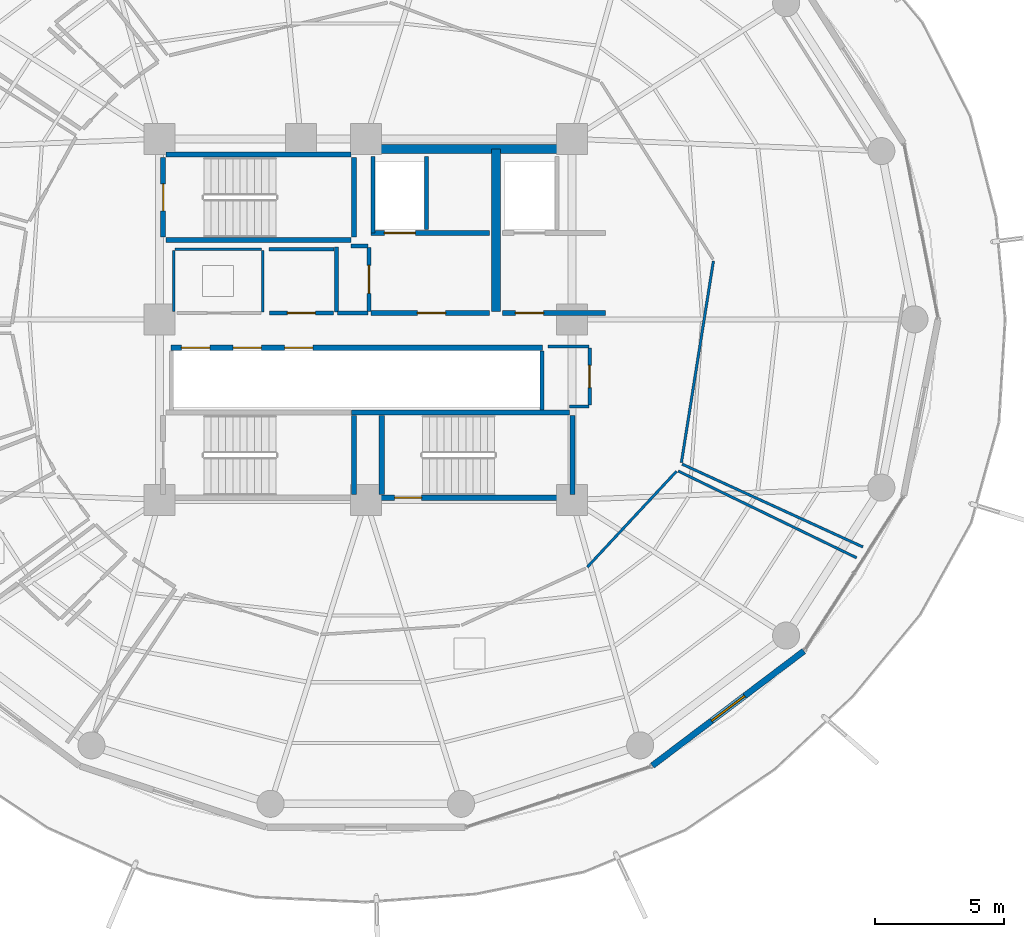
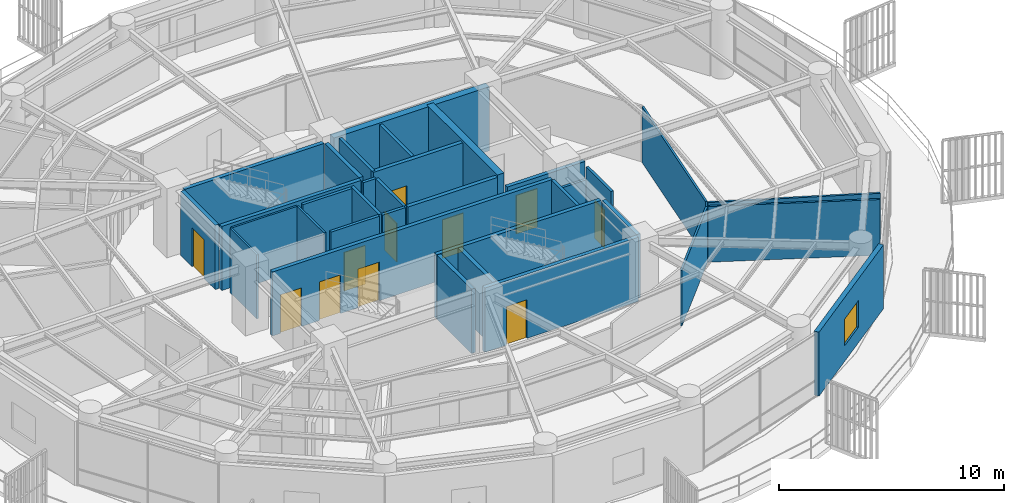
# One storey, part 24 of 30: 35 walls, 11 doors, 1 window, 12 openings.
"""IFC4 building model written with IfcOpenShell, lengths in metres."""

from ifc_helpers import new_model, si_unit, direction, frame, frame_2d, origin, place, context, subcontext, project, spatial, rectangle, extrude, material, layer, layer_set, type_object, element, fill, save


model = new_model("IFC4")

# Units and contexts
model_context = context("Model", 3, precision=1e-05, world=origin(), true_north=direction((0.0, 1.0)))
body_context = subcontext(model_context, "Body", "Model", "MODEL_VIEW")
ifc_project = project(units=[si_unit("LENGTHUNIT", "METRE"), si_unit("AREAUNIT", "SQUARE_METRE"), si_unit("VOLUMEUNIT", "CUBIC_METRE"), si_unit("PLANEANGLEUNIT", "RADIAN"), si_unit("MASSUNIT", "GRAM", prefix="KILO")], contexts=[model_context])

# Site, building, storey
site_placement = place(None, origin())
site = spatial("IfcSite", under=ifc_project, at=site_placement, CompositionType="ELEMENT")
building_placement = place(site_placement, origin())
building = spatial("IfcBuilding", under=site, at=building_placement, Name="Kelanora Arch Commons", CompositionType="ELEMENT")
storey_placement = place(building_placement, frame((0.0, 0.0, 215.699951171875)))
storey = spatial("IfcBuildingStorey", under=building, at=storey_placement, Name="L55", CompositionType="ELEMENT", Elevation=215.699951171875)

# Walls
ifc_material_1 = material(Name="Autoclaved aerated concrete blockwork with fire plaster", Category="masonry")
ifc_layer_1 = layer(ifc_material_1, 0.14990234375)
ifc_layer_set_1 = layer_set([ifc_layer_1], Name="Autoclaved aerated concrete blockwork with fire plaster")
wall_type_1 = type_object("IfcWallType", Name="W-COMP-150", PredefinedType="PARTITIONING", material=ifc_layer_set_1)
wall_1_placement = place(storey_placement, frame((74.280029296875, 61.35009765625, 0.0), z_axis=(0.0, 0.0, 1.0), x_axis=(0.0, 1.0, 0.0)))
element("IfcWall", 1, at=wall_1_placement, inside=storey, type_object=wall_type_1, Name="Firefighting Lift 1 West Shaft Wall L55", PredefinedType="PARTITIONING", context=body_context, shape_type="SweptSolid", body=[
    extrude(rectangle(XDim=2.969970703125, YDim=0.14990234375, at=frame_2d((1.48486328125, 0.0))), origin(), (0.0, 0.0, 1.0), 3.47998046875),
])
wall_2_placement = place(storey_placement, frame((76.360107421875, 61.47998046875, 0.0), z_axis=(0.0, 0.0, 1.0), x_axis=(0.0, 1.0, 0.0)))
element("IfcWall", 2, at=wall_2_placement, inside=storey, type_object=wall_type_1, Name="Firefighting Lift 1 East Shaft Wall L55", PredefinedType="PARTITIONING", context=body_context, shape_type="SweptSolid", body=[
    extrude(rectangle(XDim=2.840087890625, YDim=0.14990234375, at=frame_2d((1.419921875, 0.0))), origin(), (0.0, 0.0, 1.0), 3.47998046875),
])
wall_3_placement = place(storey_placement, frame((80.840087890625, 54.47998046875, 0.0), z_axis=(0.0, 0.0, 1.0), x_axis=(0.0, 1.0, 0.0)))
element("IfcWall", 3, at=wall_3_placement, inside=storey, type_object=wall_type_1, Name="South Lift Bank East Wall L55", PredefinedType="PARTITIONING", context=body_context, shape_type="SweptSolid", body=[
    extrude(rectangle(XDim=2.2900390625, YDim=0.14990234375, at=frame_2d((1.14501953125, 0.0))), origin(), (0.0, 0.0, 1.0), 3.47998046875),
])

# Wall, opening, door
wall_4_placement = place(storey_placement, frame((74.1201171875, 58.31005859375, 0.0), z_axis=(0.0, 0.0, 1.0), x_axis=(0.0, 1.0, 0.0)))
wall_4 = element("IfcWall", 4, at=wall_4_placement, inside=storey, type_object=wall_type_1, Name="Core Linen Supply Store L55 Entry Partition", PredefinedType="PARTITIONING", context=body_context, shape_type="SweptSolid", body=[
    extrude(rectangle(XDim=2.47998046875, YDim=0.14990234375, at=frame_2d((1.239990234375, 0.0))), origin(), (0.0, 0.0, 1.0), 3.47998046875),
])
opening_1_placement = place(wall_4_placement, frame((0.699951171875, 0.0, 0.0)))
opening_1 = element("IfcOpeningElement", 5, at=opening_1_placement, cuts=wall_4, Name="Opening D-PLT1", PredefinedType="OPENING", context=body_context, shape_type="SweptSolid", body=[
    extrude(rectangle(XDim=1.080078125, YDim=2.10009765625, at=frame_2d((0.5400390625, 1.050048828125))), frame((0.0, 0.0849609375, 0.0), z_axis=(0.0, -1.0, 0.0), x_axis=(1.0, 0.0, 0.0)), (0.0, 0.0, 1.0), 0.169921875),
])
ifc_material_2 = material(Name="Galvanised steel plant and riser fire door", Category="steel")
door_type_1 = type_object("IfcDoorType", Name="D-PLT-110", OperationType="NOTDEFINED", PredefinedType="DOOR", material=ifc_material_2)
door_1_placement = place(opening_1_placement, origin())
door_1 = element("IfcDoor", 6, at=door_1_placement, inside=storey, type_object=door_type_1, Name="Core Linen Supply Store L55 Door", OperationType="SINGLE_SWING_LEFT", OverallHeight=2.10009765625, OverallWidth=1.080078125, PredefinedType="DOOR", context=body_context, shape_type="SweptSolid", body=[
    extrude(rectangle(XDim=1.080078125, YDim=2.10009765625, at=frame_2d((0.5400390625, 1.050048828125))), frame((0.0, 0.02490234375, 0.0), z_axis=(0.0, -1.0, 0.0), x_axis=(1.0, 0.0, 0.0)), (0.0, 0.0, 1.0), 0.050048828125),
])
fill(opening_1, door_1)

wall_5_placement = place(storey_placement, frame((70.260009765625, 58.25, 0.0), z_axis=(0.0, 0.0, 1.0), x_axis=(1.0, 0.0, 0.0)))
wall_5 = element("IfcWall", 7, at=wall_5_placement, inside=storey, type_object=wall_type_1, Name="Reclaimed Core Linen Store L55 Entry Partition", PredefinedType="PARTITIONING", context=body_context, shape_type="SweptSolid", body=[
    extrude(rectangle(XDim=2.47998046875, YDim=0.14990234375, at=frame_2d((1.239990234375, 0.0))), origin(), (0.0, 0.0, 1.0), 3.47998046875),
])
opening_2_placement = place(wall_5_placement, frame((0.699951171875, 0.0, 0.0)))
opening_2 = element("IfcOpeningElement", 8, at=opening_2_placement, cuts=wall_5, Name="Opening D-PLT1", PredefinedType="OPENING", context=body_context, shape_type="SweptSolid", body=[
    extrude(rectangle(XDim=1.080078125, YDim=2.10009765625, at=frame_2d((0.5400390625, 1.050048828125))), frame((0.0, 0.0849609375, 0.0), z_axis=(0.0, -1.0, 0.0), x_axis=(1.0, 0.0, 0.0)), (0.0, 0.0, 1.0), 0.169921875),
])
door_2_placement = place(opening_2_placement, origin())
door_2 = element("IfcDoor", 9, at=door_2_placement, inside=storey, type_object=door_type_1, Name="Reclaimed Core Linen Store L55 Door", OperationType="SINGLE_SWING_RIGHT", OverallHeight=2.10009765625, OverallWidth=1.080078125, PredefinedType="DOOR", context=body_context, shape_type="SweptSolid", body=[
    extrude(rectangle(XDim=1.080078125, YDim=2.10009765625, at=frame_2d((0.5400390625, 1.050048828125))), frame((0.0, 0.02490234375, 0.0), z_axis=(0.0, -1.0, 0.0), x_axis=(1.0, 0.0, 0.0)), (0.0, 0.0, 1.0), 0.050048828125),
])
fill(opening_2, door_2)

# Walls
wall_6_placement = place(storey_placement, frame((72.89990234375, 58.25, 0.0), z_axis=(0.0, 0.0, 1.0), x_axis=(1.0, 0.0, 0.0)))
element("IfcWall", 10, at=wall_6_placement, inside=storey, type_object=wall_type_1, Name="Core Linen Supply Store L55 Enclosure Partition 1", PredefinedType="PARTITIONING", context=body_context, shape_type="SweptSolid", body=[
    extrude(rectangle(XDim=1.18017578125, YDim=0.14990234375, at=frame_2d((0.590087890625, 0.0))), origin(), (0.0, 0.0, 1.0), 3.47998046875),
])
wall_7_placement = place(storey_placement, frame((74.080078125, 60.85009765625, 0.0), z_axis=(0.0, 0.0, 1.0), x_axis=(-1.0, 0.0, 0.0)))
element("IfcWall", 11, at=wall_7_placement, inside=storey, type_object=wall_type_1, Name="Core Linen Supply Store L55 Enclosure Partition 3", PredefinedType="PARTITIONING", context=body_context, shape_type="SweptSolid", body=[
    extrude(rectangle(XDim=0.66015625, YDim=0.14990234375, at=frame_2d((0.330078125, 0.0))), origin(), (0.0, 0.0, 1.0), 3.47998046875),
])
for number, where, z_axis, x_axis, name in (
    (12, (72.860107421875, 60.81005859375, 0.0), (0.0, 0.0, 1.0), (0.0, -1.0, 0.0), "Core Linen Supply Store L55 Enclosure Partition 4"),
    (13, (72.760009765625, 60.719970703125, 0.0), (0.0, 0.0, 1.0), (-1.0, 0.0, 0.0), "Reclaimed Core Linen Store L55 Enclosure Partition 3"),
):
    element("IfcWall", number, at=place(storey_placement, frame(where, z_axis=z_axis, x_axis=x_axis)), inside=storey, type_object=wall_type_1, Name=name, PredefinedType="PARTITIONING", context=body_context, shape_type="SweptSolid", body=[
        extrude(rectangle(XDim=2.52001953125, YDim=0.14990234375, at=frame_2d((1.260009765625, 0.0))), origin(), (0.0, 0.0, 1.0), 3.47998046875),
    ])
ifc_material_3 = material(Name="Concrete C50/60", Category="concrete")
ifc_layer_2 = layer(ifc_material_3, 0.35009765625)
ifc_layer_set_2 = layer_set([ifc_layer_2], Name="Concrete C50/60")
wall_type_2 = type_object("IfcWallType", Name="W-CORE-350", PredefinedType="SHEAR", material=ifc_layer_set_2)
wall_8_placement = place(storey_placement, frame((74.0, 64.60009765625, 0.0), z_axis=(0.0, 0.0, 1.0), x_axis=(1.0, 0.0, 0.0)))
element("IfcWall", 14, at=wall_8_placement, inside=storey, type_object=wall_type_2, Name="Core Shear Spine L55-CN-E", PredefinedType="SHEAR", context=body_context, shape_type="SweptSolid", body=[
    extrude(rectangle(XDim=8.0, YDim=0.35009765625, at=frame_2d((4.0, 0.0))), origin(), (0.0, 0.0, 1.0), 3.489990234375),
])
wall_9_placement = place(storey_placement, frame((79.050048828125, 58.300048828125, 0.0), z_axis=(0.0, 0.0, 1.0), x_axis=(0.0, 1.0, 0.0)))
element("IfcWall", 15, at=wall_9_placement, inside=storey, type_object=wall_type_2, Name="Core Shear Spine L55-CE-N", PredefinedType="SHEAR", context=body_context, shape_type="SweptSolid", body=[
    extrude(rectangle(XDim=6.300048828125, YDim=0.35009765625, at=frame_2d((3.14990234375, 0.0))), origin(), (0.0, 0.0, 1.0), 3.489990234375),
])

# Wall, opening, window
ifc_material_4 = material(Name="Precast concrete C40/50 upper-zone terracotta rainscreen", Category="masonry")
ifc_layer_3 = layer(ifc_material_4, 0.239990234375)
ifc_layer_set_3 = layer_set([ifc_layer_3], Name="Precast concrete C40/50 upper-zone terracotta rainscreen")
wall_type_3 = type_object("IfcWallType", Name="W-EXT-TC2", PredefinedType="SOLIDWALL", material=ifc_layer_set_3)
wall_10_placement = place(storey_placement, frame((85.112060546875, 40.6884765625, 0.0), z_axis=(0.0, 0.0, 1.0), x_axis=(0.797701674595, 0.603052268338, 0.0)))
wall_10 = element("IfcWall", 16, at=wall_10_placement, inside=storey, type_object=wall_type_3, Name="Terracotta Exterior Wall L55-B15", PredefinedType="SOLIDWALL", context=body_context, shape_type="SweptSolid", body=[
    extrude(rectangle(XDim=7.373779296875, YDim=0.239990234375, at=frame_2d((3.68701171875, 0.0))), origin(), (0.0, 0.0, 1.0), 3.47509765625),
])
opening_3_placement = place(wall_10_placement, frame((2.886962890625, 0.0, 0.85009765625)))
opening_3 = element("IfcOpeningElement", 17, at=opening_3_placement, cuts=wall_10, Name="Opening WN-01", PredefinedType="OPENING", context=body_context, shape_type="SweptSolid", body=[
    extrude(rectangle(XDim=1.60009765625, YDim=1.449951171875, at=frame_2d((0.800048828125, 0.72509765625))), frame((0.0, 0.1298828125, 0.0), z_axis=(0.0, -1.0, 0.0), x_axis=(1.0, 0.0, 0.0)), (0.0, 0.0, 1.0), 0.260009765625),
])
ifc_material_5 = material(Name="Terracotta-anodised aluminium frame with operable low-E glazing", Category="masonry")
window_type = type_object("IfcWindowType", Name="WIN-CL-18", PartitioningType="DOUBLE_PANEL_VERTICAL", PredefinedType="WINDOW", material=ifc_material_5)
window_placement = place(opening_3_placement, origin())
window = element("IfcWindow", 18, at=window_placement, inside=storey, type_object=window_type, Name="Co-Living Operable Window L55-B15", OverallHeight=1.449951171875, OverallWidth=1.60009765625, PartitioningType="SINGLE_PANEL", PredefinedType="WINDOW", context=body_context, shape_type="SweptSolid", body=[
    extrude(rectangle(XDim=1.60009765625, YDim=1.449951171875, at=frame_2d((0.800048828125, 0.72509765625))), frame((0.0, 0.030029296875, 0.0), z_axis=(0.0, -1.0, 0.0), x_axis=(1.0, 0.0, 0.0)), (0.0, 0.0, 1.0), 0.06005859375),
])
fill(opening_3, window)

# Wall, opening, door
ifc_material_6 = material(Name="Concrete C40/50", Category="concrete")
ifc_layer_4 = layer(ifc_material_6, 0.199951171875)
ifc_layer_set_4 = layer_set([ifc_layer_4], Name="Concrete C40/50")
wall_type_4 = type_object("IfcWallType", Name="W-FFL-200", PredefinedType="SOLIDWALL", material=ifc_layer_set_4)
wall_11_placement = place(storey_placement, frame((74.199951171875, 61.35009765625, 0.0), z_axis=(0.0, 0.0, 1.0), x_axis=(1.0, 0.0, 0.0)))
wall_11 = element("IfcWall", 19, at=wall_11_placement, inside=storey, type_object=wall_type_4, Name="Firefighting Lift 1 Shaft Front L55", PredefinedType="SOLIDWALL", context=body_context, shape_type="SweptSolid", body=[
    extrude(rectangle(XDim=4.60009765625, YDim=0.199951171875, at=frame_2d((2.300048828125, 0.0))), origin(), (0.0, 0.0, 1.0), 3.47998046875),
])
opening_4_placement = place(wall_11_placement, frame((0.52001953125, 0.0, 0.0)))
opening_4 = element("IfcOpeningElement", 20, at=opening_4_placement, cuts=wall_11, Name="Opening LD-FF", PredefinedType="OPENING", context=body_context, shape_type="SweptSolid", body=[
    extrude(rectangle(XDim=1.199951171875, YDim=2.14990234375, at=frame_2d((0.60009765625, 1.074951171875))), frame((0.0, 0.10986328125, 0.0), z_axis=(0.0, -1.0, 0.0), x_axis=(1.0, 0.0, 0.0)), (0.0, 0.0, 1.0), 0.219970703125),
])
ifc_material_7 = material(Name="Fire-rated firefighters lift sliding landing door")
door_type_2 = type_object("IfcDoorType", Name="D-LIFT-FF", OperationType="NOTDEFINED", PredefinedType="DOOR", material=ifc_material_7)
door_3_placement = place(opening_4_placement, origin())
door_3 = element("IfcDoor", 21, at=door_3_placement, inside=storey, type_object=door_type_2, Name="Firefighting Lift LF-FF1 Landing Door L55", OperationType="DOUBLE_DOOR_SLIDING", OverallHeight=2.14990234375, OverallWidth=1.199951171875, PredefinedType="DOOR", context=body_context, shape_type="SweptSolid", body=[
    extrude(rectangle(XDim=1.199951171875, YDim=2.14990234375, at=frame_2d((0.60009765625, 1.074951171875))), frame((0.0, 0.02490234375, 0.0), z_axis=(0.0, -1.0, 0.0), x_axis=(1.0, 0.0, 0.0)), (0.0, 0.0, 1.0), 0.050048828125),
])
fill(opening_4, door_3)

wall_12_placement = place(storey_placement, frame((74.199951171875, 58.25, 0.0), z_axis=(0.0, 0.0, 1.0), x_axis=(1.0, 0.0, 0.0)))
wall_12 = element("IfcWall", 22, at=wall_12_placement, inside=storey, type_object=wall_type_4, Name="Firefighting Lobby 1 Enclosure Wall L55", PredefinedType="SOLIDWALL", context=body_context, shape_type="SweptSolid", body=[
    extrude(rectangle(XDim=4.60009765625, YDim=0.199951171875, at=frame_2d((2.300048828125, 0.0))), origin(), (0.0, 0.0, 1.0), 3.47998046875),
])
opening_5_placement = place(wall_12_placement, frame((1.800048828125, 0.0, 0.0)))
opening_5 = element("IfcOpeningElement", 23, at=opening_5_placement, cuts=wall_12, Name="Opening D-FFL1", PredefinedType="OPENING", context=body_context, shape_type="SweptSolid", body=[
    extrude(rectangle(XDim=1.10009765625, YDim=2.10009765625, at=frame_2d((0.550048828125, 1.050048828125))), frame((0.0, 0.10986328125, 0.0), z_axis=(0.0, -1.0, 0.0), x_axis=(1.0, 0.0, 0.0)), (0.0, 0.0, 1.0), 0.219970703125),
])
ifc_material_8 = material(Name="Smoke-sealed firefighting lobby fire door")
door_type_3 = type_object("IfcDoorType", Name="D-FFL-110", OperationType="NOTDEFINED", PredefinedType="DOOR", material=ifc_material_8)
door_4_placement = place(opening_5_placement, frame((1.10009765625, 0.0, 0.0), z_axis=(0.0, 0.0, 1.0), x_axis=(-1.0, 0.0, 0.0)))
door_4 = element("IfcDoor", 24, at=door_4_placement, inside=storey, type_object=door_type_3, Name="Firefighting Lobby 1 Door L55", OperationType="SINGLE_SWING_LEFT", OverallHeight=2.10009765625, OverallWidth=1.10009765625, PredefinedType="DOOR", context=body_context, shape_type="SweptSolid", body=[
    extrude(rectangle(XDim=1.10009765625, YDim=2.10009765625, at=frame_2d((0.550048828125, 1.050048828125))), frame((0.0, 0.02490234375, 0.0), z_axis=(0.0, -1.0, 0.0), x_axis=(1.0, 0.0, 0.0)), (0.0, 0.0, 1.0), 0.050048828125),
])
fill(opening_5, door_4)

wall_13_placement = place(storey_placement, frame((79.300048828125, 58.25, 0.0), z_axis=(0.0, 0.0, 1.0), x_axis=(1.0, 0.0, 0.0)))
wall_13 = element("IfcWall", 25, at=wall_13_placement, inside=storey, type_object=wall_type_4, Name="Firefighting Lobby 2 Enclosure Wall L55", PredefinedType="SOLIDWALL", context=body_context, shape_type="SweptSolid", body=[
    extrude(rectangle(XDim=4.0, YDim=0.199951171875, at=frame_2d((2.0, 0.0))), origin(), (0.0, 0.0, 1.0), 2.775146484375),
])
opening_6_placement = place(wall_13_placement, frame((0.5, 0.0, 0.0)))
opening_6 = element("IfcOpeningElement", 26, at=opening_6_placement, cuts=wall_13, Name="Opening D-FFL1", PredefinedType="OPENING", context=body_context, shape_type="SweptSolid", body=[
    extrude(rectangle(XDim=1.10009765625, YDim=2.10009765625, at=frame_2d((0.550048828125, 1.050048828125))), frame((0.0, 0.10986328125, 0.0), z_axis=(0.0, -1.0, 0.0), x_axis=(1.0, 0.0, 0.0)), (0.0, 0.0, 1.0), 0.219970703125),
])
door_5_placement = place(opening_6_placement, frame((1.10009765625, 0.0, 0.0), z_axis=(0.0, 0.0, 1.0), x_axis=(-1.0, 0.0, 0.0)))
door_5 = element("IfcDoor", 27, at=door_5_placement, inside=storey, type_object=door_type_3, Name="Firefighting Lobby 2 Door L55", OperationType="SINGLE_SWING_RIGHT", OverallHeight=2.10009765625, OverallWidth=1.10009765625, PredefinedType="DOOR", context=body_context, shape_type="SweptSolid", body=[
    extrude(rectangle(XDim=1.10009765625, YDim=2.10009765625, at=frame_2d((0.550048828125, 1.050048828125))), frame((0.0, 0.02490234375, 0.0), z_axis=(0.0, -1.0, 0.0), x_axis=(1.0, 0.0, 0.0)), (0.0, 0.0, 1.0), 0.050048828125),
])
fill(opening_6, door_5)

# Wall, openings, doors
wall_14_placement = place(storey_placement, frame((66.449951171875, 56.89990234375, 0.0), z_axis=(0.0, 0.0, 1.0), x_axis=(1.0, 0.0, 0.0)))
wall_14 = element("IfcWall", 28, at=wall_14_placement, inside=storey, type_object=wall_type_4, Name="Mid/High/Express Lift Shaft Front L55", PredefinedType="SOLIDWALL", context=body_context, shape_type="SweptSolid", body=[
    extrude(rectangle(XDim=14.400146484375, YDim=0.199951171875, at=frame_2d((7.2001953125, 0.0))), origin(), (0.0, 0.0, 1.0), 3.47998046875),
])
opening_7_placement = place(wall_14_placement, frame((0.39990234375, 0.0, 0.0)))
opening_7 = element("IfcOpeningElement", 29, at=opening_7_placement, cuts=wall_14, Name="Opening LD-01", PredefinedType="OPENING", context=body_context, shape_type="SweptSolid", body=[
    extrude(rectangle(XDim=1.10009765625, YDim=2.10009765625, at=frame_2d((0.550048828125, 1.050048828125))), frame((0.0, 0.10986328125, 0.0), z_axis=(0.0, -1.0, 0.0), x_axis=(1.0, 0.0, 0.0)), (0.0, 0.0, 1.0), 0.219970703125),
])
opening_8_placement = place(wall_14_placement, frame((2.39990234375, 0.0, 0.0)))
opening_8 = element("IfcOpeningElement", 30, at=opening_8_placement, cuts=wall_14, Name="Opening LD-01", PredefinedType="OPENING", context=body_context, shape_type="SweptSolid", body=[
    extrude(rectangle(XDim=1.10009765625, YDim=2.10009765625, at=frame_2d((0.550048828125, 1.050048828125))), frame((0.0, 0.10986328125, 0.0), z_axis=(0.0, -1.0, 0.0), x_axis=(1.0, 0.0, 0.0)), (0.0, 0.0, 1.0), 0.219970703125),
])
opening_9_placement = place(wall_14_placement, frame((4.39990234375, 0.0, 0.0)))
opening_9 = element("IfcOpeningElement", 31, at=opening_9_placement, cuts=wall_14, Name="Opening LD-01", PredefinedType="OPENING", context=body_context, shape_type="SweptSolid", body=[
    extrude(rectangle(XDim=1.10009765625, YDim=2.10009765625, at=frame_2d((0.550048828125, 1.050048828125))), frame((0.0, 0.10986328125, 0.0), z_axis=(0.0, -1.0, 0.0), x_axis=(1.0, 0.0, 0.0)), (0.0, 0.0, 1.0), 0.219970703125),
])
ifc_material_9 = material(Name="Stainless steel passenger lift sliding landing door", Category="steel")
door_type_4 = type_object("IfcDoorType", Name="D-LIFT-110", OperationType="NOTDEFINED", PredefinedType="DOOR", material=ifc_material_9)
door_6_placement = place(opening_7_placement, origin())
door_6 = element("IfcDoor", 32, at=door_6_placement, inside=storey, type_object=door_type_4, Name="Passenger Lift LF-P4 Landing Door L55", OperationType="DOUBLE_DOOR_SLIDING", OverallHeight=2.10009765625, OverallWidth=1.10009765625, PredefinedType="DOOR", context=body_context, shape_type="SweptSolid", body=[
    extrude(rectangle(XDim=1.10009765625, YDim=2.10009765625, at=frame_2d((0.550048828125, 1.050048828125))), frame((0.0, 0.02490234375, 0.0), z_axis=(0.0, -1.0, 0.0), x_axis=(1.0, 0.0, 0.0)), (0.0, 0.0, 1.0), 0.050048828125),
])
fill(opening_7, door_6)
door_7_placement = place(opening_8_placement, origin())
door_7 = element("IfcDoor", 33, at=door_7_placement, inside=storey, type_object=door_type_4, Name="Passenger Lift LF-P5 Landing Door L55", OperationType="DOUBLE_DOOR_SLIDING", OverallHeight=2.10009765625, OverallWidth=1.10009765625, PredefinedType="DOOR", context=body_context, shape_type="SweptSolid", body=[
    extrude(rectangle(XDim=1.10009765625, YDim=2.10009765625, at=frame_2d((0.550048828125, 1.050048828125))), frame((0.0, 0.02490234375, 0.0), z_axis=(0.0, -1.0, 0.0), x_axis=(1.0, 0.0, 0.0)), (0.0, 0.0, 1.0), 0.050048828125),
])
fill(opening_8, door_7)
door_8_placement = place(opening_9_placement, origin())
door_8 = element("IfcDoor", 34, at=door_8_placement, inside=storey, type_object=door_type_4, Name="Passenger Lift LF-P6 Landing Door L55", OperationType="DOUBLE_DOOR_SLIDING", OverallHeight=2.10009765625, OverallWidth=1.10009765625, PredefinedType="DOOR", context=body_context, shape_type="SweptSolid", body=[
    extrude(rectangle(XDim=1.10009765625, YDim=2.10009765625, at=frame_2d((0.550048828125, 1.050048828125))), frame((0.0, 0.02490234375, 0.0), z_axis=(0.0, -1.0, 0.0), x_axis=(1.0, 0.0, 0.0)), (0.0, 0.0, 1.0), 0.050048828125),
])
fill(opening_9, door_8)

# Walls
ifc_material_10 = material(Name="Lightweight fire-rated acoustic stud partition")
ifc_layer_5 = layer(ifc_material_10, 0.10009765625)
ifc_layer_set_5 = layer_set([ifc_layer_5], Name="Lightweight fire-rated acoustic stud partition")
wall_type_5 = type_object("IfcWallType", Name="W-PART-100", PredefinedType="PARTITIONING", material=ifc_layer_set_5)
wall_15_placement = place(storey_placement, frame((70.0, 58.2900390625, 0.0), z_axis=(0.0, 0.0, 1.0), x_axis=(0.0, 1.0, 0.0)))
element("IfcWall", 35, at=wall_15_placement, inside=storey, type_object=wall_type_5, Name="Reclaimed Core Quiet Phone Booths L55 Enclosure Partition 2", PredefinedType="PARTITIONING", context=body_context, shape_type="SweptSolid", body=[
    extrude(rectangle(XDim=2.389892578125, YDim=0.10009765625, at=frame_2d((1.19482421875, 0.0))), origin(), (0.0, 0.0, 1.0), 3.47998046875),
])
wall_16_placement = place(storey_placement, frame((69.9599609375, 60.719970703125, 0.0), z_axis=(0.0, 0.0, 1.0), x_axis=(-1.0, 0.0, 0.0)))
element("IfcWall", 36, at=wall_16_placement, inside=storey, type_object=wall_type_5, Name="Reclaimed Core Quiet Phone Booths L55 Enclosure Partition 3", PredefinedType="PARTITIONING", context=body_context, shape_type="SweptSolid", body=[
    extrude(rectangle(XDim=3.369873046875, YDim=0.10009765625, at=frame_2d((1.68505859375, 0.0))), origin(), (0.0, 0.0, 1.0), 3.47998046875),
])
wall_17_placement = place(storey_placement, frame((66.550048828125, 60.679931640625, 0.0), z_axis=(0.0, 0.0, 1.0), x_axis=(0.0, -1.0, 0.0)))
element("IfcWall", 37, at=wall_17_placement, inside=storey, type_object=wall_type_5, Name="Reclaimed Core Quiet Phone Booths L55 Enclosure Partition 4", PredefinedType="PARTITIONING", context=body_context, shape_type="SweptSolid", body=[
    extrude(rectangle(XDim=2.383056640625, YDim=0.10009765625, at=frame_2d((1.19140625, 0.0))), origin(), (0.0, 0.0, 1.0), 3.47998046875),
])
wall_18_placement = place(storey_placement, frame((82.58837890625, 48.389404296875, 0.0), z_axis=(0.0, 0.0, 1.0), x_axis=(0.68157475052, 0.731748494671, 0.0)))
element("IfcWall", 38, at=wall_18_placement, inside=storey, type_object=wall_type_5, Name="South-East Shared Study Commons L55 Enclosure Partition 4", PredefinedType="PARTITIONING", context=body_context, shape_type="SweptSolid", body=[
    extrude(rectangle(XDim=5.080078125, YDim=0.10009765625, at=frame_2d((2.5400390625, 0.0))), origin(), (0.0, 0.0, 1.0), 3.025146484375),
])
wall_19_placement = place(storey_placement, frame((86.114013671875, 52.118408203125, 0.0), z_axis=(0.0, 0.0, 1.0), x_axis=(0.899283988658, -0.437365188078, 0.0)))
element("IfcWall", 39, at=wall_19_placement, inside=storey, type_object=wall_type_5, Name="South-East Shared Study Commons L55 Enclosure Partition 5", PredefinedType="PARTITIONING", context=body_context, shape_type="SweptSolid", body=[
    extrude(rectangle(XDim=7.696044921875, YDim=0.10009765625, at=frame_2d((3.84814453125, 0.0))), origin(), (0.0, 0.0, 1.0), 3.025146484375),
])
wall_20_placement = place(storey_placement, frame((86.240234375, 52.44140625, 0.0), z_axis=(0.0, 0.0, 1.0), x_axis=(0.156928440611, 0.987609975915, 0.0)))
element("IfcWall", 40, at=wall_20_placement, inside=storey, type_object=wall_type_5, Name="North-East Shared Cluster Kitchen L55 Enclosure Partition 1", PredefinedType="PARTITIONING", context=body_context, shape_type="SweptSolid", body=[
    extrude(rectangle(XDim=7.917236328125, YDim=0.10009765625, at=frame_2d((3.95849609375, 0.0))), origin(), (0.0, 0.0, 1.0), 3.025146484375),
])
wall_21_placement = place(storey_placement, frame((93.280517578125, 49.172607421875, 0.0), z_axis=(0.0, 0.0, 1.0), x_axis=(-0.909078313488, 0.416625275213, 0.0)))
element("IfcWall", 41, at=wall_21_placement, inside=storey, type_object=wall_type_5, Name="North-East Shared Cluster Kitchen L55 Enclosure Partition 10", PredefinedType="PARTITIONING", context=body_context, shape_type="SweptSolid", body=[
    extrude(rectangle(XDim=7.711181640625, YDim=0.10009765625, at=frame_2d((3.85546875, 0.0))), origin(), (0.0, 0.0, 1.0), 3.025146484375),
])
ifc_layer_6 = layer(ifc_material_6, 0.199951171875)
ifc_layer_set_6 = layer_set([ifc_layer_6], Name="Concrete C40/50")
wall_type_6 = type_object("IfcWallType", Name="W-STAIR-200", PredefinedType="SHEAR", material=ifc_layer_set_6)
wall_22_placement = place(storey_placement, frame((66.260009765625, 61.080078125, 0.0), z_axis=(0.0, 0.0, 1.0), x_axis=(1.0, 0.0, 0.0)))
element("IfcWall", 42, at=wall_22_placement, inside=storey, type_object=wall_type_6, Name="Stair ST-T1 Shaft Wall S L55", PredefinedType="SHEAR", context=body_context, shape_type="SweptSolid", body=[
    extrude(rectangle(XDim=7.159912109375, YDim=0.199951171875, at=frame_2d((3.580078125, 0.0))), origin(), (0.0, 0.0, 1.0), 3.489990234375),
])
wall_23_placement = place(storey_placement, frame((73.5400390625, 61.199951171875, 0.0), z_axis=(0.0, 0.0, 1.0), x_axis=(0.0, 1.0, 0.0)))
element("IfcWall", 43, at=wall_23_placement, inside=storey, type_object=wall_type_6, Name="Stair ST-T1 Shaft Wall E L55", PredefinedType="SHEAR", context=body_context, shape_type="SweptSolid", body=[
    extrude(rectangle(XDim=3.070068359375, YDim=0.199951171875, at=frame_2d((1.53515625, 0.0))), origin(), (0.0, 0.0, 1.0), 3.489990234375),
])
wall_24_placement = place(storey_placement, frame((73.419921875, 64.389892578125, 0.0), z_axis=(0.0, 0.0, 1.0), x_axis=(-1.0, 0.0, 0.0)))
element("IfcWall", 44, at=wall_24_placement, inside=storey, type_object=wall_type_6, Name="Stair ST-T1 Shaft Wall N L55", PredefinedType="SHEAR", context=body_context, shape_type="SweptSolid", body=[
    extrude(rectangle(XDim=7.159912109375, YDim=0.199951171875, at=frame_2d((3.580078125, 0.0))), origin(), (0.0, 0.0, 1.0), 3.489990234375),
])

# Wall, opening, door
wall_25_placement = place(storey_placement, frame((66.139892578125, 64.27001953125, 0.0), z_axis=(0.0, 0.0, 1.0), x_axis=(0.0, -1.0, 0.0)))
wall_25 = element("IfcWall", 45, at=wall_25_placement, inside=storey, type_object=wall_type_6, Name="Stair ST-T1 Shaft Wall W L55", PredefinedType="SHEAR", context=body_context, shape_type="SweptSolid", body=[
    extrude(rectangle(XDim=3.070068359375, YDim=0.199951171875, at=frame_2d((1.53515625, 0.0))), origin(), (0.0, 0.0, 1.0), 3.489990234375),
])
opening_10_placement = place(wall_25_placement, frame((1.010009765625, 0.0, 0.0)))
opening_10 = element("IfcOpeningElement", 46, at=opening_10_placement, cuts=wall_25, Name="Opening D-ST1", PredefinedType="OPENING", context=body_context, shape_type="SweptSolid", body=[
    extrude(rectangle(XDim=1.050048828125, YDim=2.10009765625, at=frame_2d((0.52490234375, 1.050048828125))), frame((0.0, 0.10986328125, 0.0), z_axis=(0.0, -1.0, 0.0), x_axis=(1.0, 0.0, 0.0)), (0.0, 0.0, 1.0), 0.219970703125),
])
ifc_material_11 = material(Name="Steel fire-rated stairwell escape door", Category="steel")
door_type_5 = type_object("IfcDoorType", Name="D-STAIR-110", OperationType="NOTDEFINED", PredefinedType="DOOR", material=ifc_material_11)
door_9_placement = place(opening_10_placement, origin())
door_9 = element("IfcDoor", 47, at=door_9_placement, inside=storey, type_object=door_type_5, Name="Stair ST-T1 Escape Door L55", OperationType="SINGLE_SWING_LEFT", OverallHeight=2.10009765625, OverallWidth=1.050048828125, PredefinedType="DOOR", context=body_context, shape_type="SweptSolid", body=[
    extrude(rectangle(XDim=1.050048828125, YDim=2.10009765625, at=frame_2d((0.52490234375, 1.050048828125))), frame((0.0, 0.02490234375, 0.0), z_axis=(0.0, -1.0, 0.0), x_axis=(1.0, 0.0, 0.0)), (0.0, 0.0, 1.0), 0.050048828125),
])
fill(opening_10, door_9)

wall_26_placement = place(storey_placement, frame((74.0, 51.080078125, 0.0), z_axis=(0.0, 0.0, 1.0), x_axis=(1.0, 0.0, 0.0)))
wall_26 = element("IfcWall", 48, at=wall_26_placement, inside=storey, type_object=wall_type_6, Name="Stair ST-T2 Shaft Wall S L55", PredefinedType="SHEAR", context=body_context, shape_type="SweptSolid", body=[
    extrude(rectangle(XDim=7.89990234375, YDim=0.199951171875, at=frame_2d((3.949951171875, 0.0))), origin(), (0.0, 0.0, 1.0), 3.489990234375),
])
opening_11_placement = place(wall_26_placement, frame((1.1201171875, 0.0, 0.0)))
opening_11 = element("IfcOpeningElement", 49, at=opening_11_placement, cuts=wall_26, Name="Opening D-ST1", PredefinedType="OPENING", context=body_context, shape_type="SweptSolid", body=[
    extrude(rectangle(XDim=1.050048828125, YDim=2.10009765625, at=frame_2d((0.52490234375, 1.050048828125))), frame((0.0, 0.10986328125, 0.0), z_axis=(0.0, -1.0, 0.0), x_axis=(1.0, 0.0, 0.0)), (0.0, 0.0, 1.0), 0.219970703125),
])
door_10_placement = place(opening_11_placement, origin())
door_10 = element("IfcDoor", 50, at=door_10_placement, inside=storey, type_object=door_type_5, Name="Stair ST-T2 Escape Door L55", OperationType="SINGLE_SWING_LEFT", OverallHeight=2.10009765625, OverallWidth=1.050048828125, PredefinedType="DOOR", context=body_context, shape_type="SweptSolid", body=[
    extrude(rectangle(XDim=1.050048828125, YDim=2.10009765625, at=frame_2d((0.52490234375, 1.050048828125))), frame((0.0, 0.02490234375, 0.0), z_axis=(0.0, -1.0, 0.0), x_axis=(1.0, 0.0, 0.0)), (0.0, 0.0, 1.0), 0.050048828125),
])
fill(opening_11, door_10)

# Walls
wall_27_placement = place(storey_placement, frame((82.02001953125, 51.199951171875, 0.0), z_axis=(0.0, 0.0, 1.0), x_axis=(0.0, 1.0, 0.0)))
element("IfcWall", 51, at=wall_27_placement, inside=storey, type_object=wall_type_6, Name="Stair ST-T2 Shaft Wall E L55", PredefinedType="SHEAR", context=body_context, shape_type="SweptSolid", body=[
    extrude(rectangle(XDim=3.070068359375, YDim=0.199951171875, at=frame_2d((1.53515625, 0.0))), origin(), (0.0, 0.0, 1.0), 3.489990234375),
])
wall_28_placement = place(storey_placement, frame((81.89990234375, 54.389892578125, 0.0), z_axis=(0.0, 0.0, 1.0), x_axis=(-1.0, 0.0, 0.0)))
element("IfcWall", 52, at=wall_28_placement, inside=storey, type_object=wall_type_6, Name="Stair ST-T2 Shaft Wall N L55", PredefinedType="SHEAR", context=body_context, shape_type="SweptSolid", body=[
    extrude(rectangle(XDim=8.4599609375, YDim=0.199951171875, at=frame_2d((4.22998046875, 0.0))), origin(), (0.0, 0.0, 1.0), 3.489990234375),
])
for number, where, z_axis, x_axis, name in (
    (53, (74.6201171875, 54.27001953125, 0.0), (0.0, 0.0, 1.0), (0.0, -1.0, 0.0), "Stair ST-T2 Shaft Wall W L55"),
    (54, (73.5400390625, 51.199951171875, 0.0), (0.0, 0.0, 1.0), (0.0, 1.0, 0.0), "Stair ST-T3 Shaft Wall E L55"),
):
    element("IfcWall", number, at=place(storey_placement, frame(where, z_axis=z_axis, x_axis=x_axis)), inside=storey, type_object=wall_type_6, Name=name, PredefinedType="SHEAR", context=body_context, shape_type="SweptSolid", body=[
        extrude(rectangle(XDim=3.070068359375, YDim=0.199951171875, at=frame_2d((1.53515625, 0.0))), origin(), (0.0, 0.0, 1.0), 3.489990234375),
    ])

# Wall, opening, door
ifc_material_12 = material(Name="Moisture-resistant fire-rated cement-board plumbing wall")
ifc_layer_7 = layer(ifc_material_12, 0.1298828125)
ifc_layer_set_7 = layer_set([ifc_layer_7], Name="Moisture-resistant fire-rated cement-board plumbing wall")
wall_type_7 = type_object("IfcWallType", Name="W-WET-120", PredefinedType="PLUMBINGWALL", material=ifc_layer_set_7)
wall_29_placement = place(storey_placement, frame((82.679931640625, 54.679931640625, 0.0), z_axis=(0.0, 0.0, 1.0), x_axis=(0.0, 1.0, 0.0)))
wall_29 = element("IfcWall", 55, at=wall_29_placement, inside=storey, type_object=wall_type_7, Name="Core Accessible Unisex WC L55 Entry Partition", PredefinedType="PLUMBINGWALL", context=body_context, shape_type="SweptSolid", body=[
    extrude(rectangle(XDim=2.2099609375, YDim=0.1298828125, at=frame_2d((1.10498046875, 0.0))), origin(), (0.0, 0.0, 1.0), 3.47998046875),
])
opening_12_placement = place(wall_29_placement, frame((0.675048828125, 0.0, 0.0)))
opening_12 = element("IfcOpeningElement", 56, at=opening_12_placement, cuts=wall_29, Name="Opening D-BT1", PredefinedType="OPENING", context=body_context, shape_type="SweptSolid", body=[
    extrude(rectangle(XDim=0.860107421875, YDim=2.050048828125, at=frame_2d((0.43017578125, 1.02490234375))), frame((0.0, 0.074951171875, 0.0), z_axis=(0.0, -1.0, 0.0), x_axis=(1.0, 0.0, 0.0)), (0.0, 0.0, 1.0), 0.14990234375),
])
ifc_material_13 = material(Name="Moisture-sealed fire-rated accessible bathroom door")
door_type_6 = type_object("IfcDoorType", Name="D-BATH-85", OperationType="NOTDEFINED", PredefinedType="DOOR", material=ifc_material_13)
door_11_placement = place(opening_12_placement, origin())
door_11 = element("IfcDoor", 57, at=door_11_placement, inside=storey, type_object=door_type_6, Name="Core Accessible Unisex WC L55 Door", OperationType="SINGLE_SWING_RIGHT", OverallHeight=2.050048828125, OverallWidth=0.860107421875, PredefinedType="DOOR", context=body_context, shape_type="SweptSolid", body=[
    extrude(rectangle(XDim=0.860107421875, YDim=2.050048828125, at=frame_2d((0.43017578125, 1.02490234375))), frame((0.0, 0.02490234375, 0.0), z_axis=(0.0, -1.0, 0.0), x_axis=(1.0, 0.0, 0.0)), (0.0, 0.0, 1.0), 0.050048828125),
])
fill(opening_12, door_11)

# Walls
wall_30_placement = place(storey_placement, frame((81.89990234375, 54.6201171875, 0.0), z_axis=(0.0, 0.0, 1.0), x_axis=(1.0, 0.0, 0.0)))
element("IfcWall", 58, at=wall_30_placement, inside=storey, type_object=wall_type_7, Name="Core Accessible Unisex WC L55 Enclosure Partition 1", PredefinedType="PLUMBINGWALL", context=body_context, shape_type="SweptSolid", body=[
    extrude(rectangle(XDim=0.760009765625, YDim=0.1298828125, at=frame_2d((0.3798828125, 0.0))), origin(), (0.0, 0.0, 1.0), 2.775146484375),
])
wall_31_placement = place(storey_placement, frame((82.659912109375, 56.949951171875, 0.0), z_axis=(0.0, 0.0, 1.0), x_axis=(-1.0, 0.0, 0.0)))
element("IfcWall", 59, at=wall_31_placement, inside=storey, type_object=wall_type_7, Name="Core Accessible Unisex WC L55 Enclosure Partition 3", PredefinedType="PLUMBINGWALL", context=body_context, shape_type="SweptSolid", body=[
    extrude(rectangle(XDim=1.58984375, YDim=0.1298828125, at=frame_2d((0.794921875, 0.0))), origin(), (0.0, 0.0, 1.0), 2.775146484375),
])

save(model, "model.ifc")
